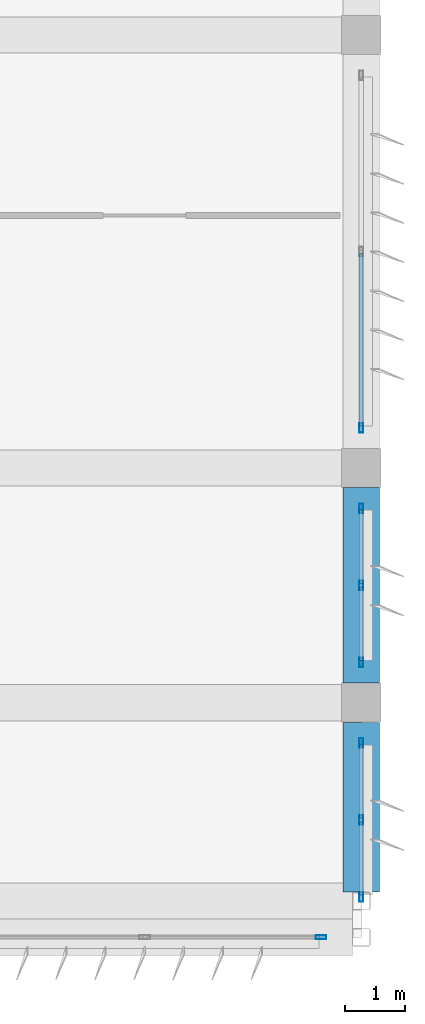
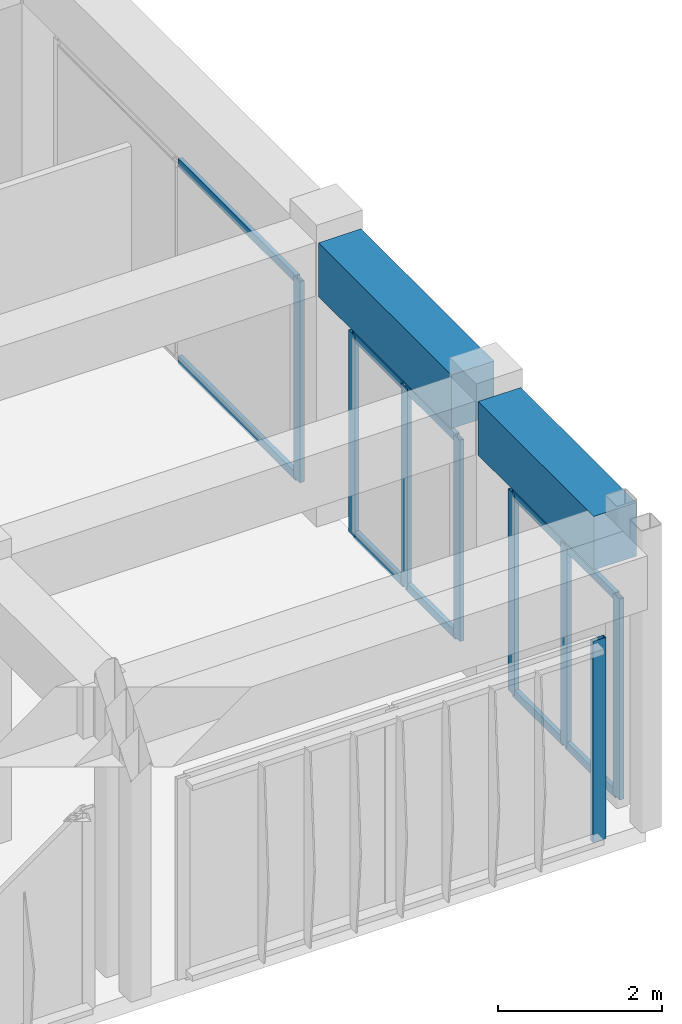
# One storey, part 29 of 56: 18 members, 2 beams, 4 elements without a shape of their own.
"""IFC4 building model written with IfcOpenShell, lengths in metres."""

from ifc_helpers import new_model, si_unit, direction, frame, origin, origin_2d, place, context, subcontext, project, spatial, rectangle, hollow_rectangle, extrude, material, material_profile, profile_set, type_object, element, aggregate, save


model = new_model("IFC4")

# Units and contexts
model_context = context("Model", 3, precision=1e-05, world=origin(), true_north=direction((0.0, 1.0)))
body_context = subcontext(model_context, "Body", "Model", "MODEL_VIEW")
ifc_project = project(units=[si_unit("LENGTHUNIT", "METRE"), si_unit("AREAUNIT", "SQUARE_METRE"), si_unit("VOLUMEUNIT", "CUBIC_METRE"), si_unit("PLANEANGLEUNIT", "RADIAN"), si_unit("MASSUNIT", "GRAM", prefix="KILO")], contexts=[model_context])

# Site, building, storey
site_placement = place(None, origin())
site = spatial("IfcSite", under=ifc_project, at=site_placement, CompositionType="ELEMENT")
building_placement = place(site_placement, origin())
building = spatial("IfcBuilding", under=site, at=building_placement, Name="Kazehaya Institute of Natural Sciences", CompositionType="ELEMENT")
storey_placement = place(building_placement, frame((0.0, 0.0, 28.800048828125)))
storey = spatial("IfcBuildingStorey", under=building, at=storey_placement, Name="L06", CompositionType="ELEMENT", Elevation=28.800048828125)

# Beams
ifc_material_1 = material(Name="Concrete Fc36", Category="concrete")
ifc_material_profile_1 = material_profile(ifc_material_1, rectangle(XDim=0.60009765625, YDim=0.800048828125, at=origin_2d()), Name="RC-600x800")
ifc_profile_set_1 = profile_set([ifc_material_profile_1], Name="Concrete Fc36")
beam_type = type_object("IfcBeamType", Name="BM-G-600x800", PredefinedType="BEAM", material=ifc_profile_set_1)
beam_1_placement = place(storey_placement, frame((119.39990234375, 6.949951171875, 3.829833984375), z_axis=(0.0, 1.0, 0.0), x_axis=(-1.0, 0.0, 0.0)))
element("IfcBeam", 1, at=beam_1_placement, inside=storey, type_object=beam_type, Name="L06 primary Y girder BMY-L06-1194-68", PredefinedType="BEAM", context=body_context, shape_type="SweptSolid", body=[
    extrude(rectangle(XDim=0.60009765625, YDim=0.800048828125, at=origin_2d()), origin(), (0.0, 0.0, 1.0), 2.824951171875),
])
beam_2_placement = place(storey_placement, frame((119.39990234375, 10.425048828125, 3.829833984375), z_axis=(0.0, 1.0, 0.0), x_axis=(-1.0, 0.0, 0.0)))
element("IfcBeam", 2, at=beam_2_placement, inside=storey, type_object=beam_type, Name="L06 primary Y girder BMY-L06-1194-101", PredefinedType="BEAM", context=body_context, shape_type="SweptSolid", body=[
    extrude(rectangle(XDim=0.60009765625, YDim=0.800048828125, at=origin_2d()), origin(), (0.0, 0.0, 1.0), 3.25),
])

# Curtain wall, members
ifc_material_2 = material(Name="Aluminium alloy A6063S-T5", Category="aluminium")
curtain_wall_type_1 = type_object("IfcCurtainWallType", Name="CW-SYS-08", PredefinedType="NOTDEFINED", material=ifc_material_2)
curtain_wall_1_placement = place(storey_placement, origin())
curtain_wall_1 = element("IfcCurtainWall", 3, at=curtain_wall_1_placement, inside=storey, type_object=curtain_wall_type_1, Name="L06 unitised curtain wall CW-L06-139", PredefinedType="NOTDEFINED")
ifc_material_profile_2 = material_profile(ifc_material_2, hollow_rectangle(XDim=0.06005859375, YDim=0.159912109375, WallThickness=0.00390625, at=origin_2d()), Name="ALU-60x160x4")
ifc_profile_set_2 = profile_set([ifc_material_profile_2], Name="Aluminium alloy A6063S-T5")
member_type_1 = type_object("IfcMemberType", Name="CWM-160", PredefinedType="MULLION", material=ifc_profile_set_2)
member_1_placement = place(storey_placement, frame((119.39990234375, 9.429931640625, 0.0), z_axis=(0.0, 0.0, 1.0), x_axis=(1.0, 0.0, 0.0)))
member_1 = element("IfcMember", 4, at=member_1_placement, type_object=member_type_1, Name="CW08 mullion 1", PredefinedType="MULLION", context=body_context, shape_type="SweptSolid", body=[
    extrude(hollow_rectangle(XDim=0.06005859375, YDim=0.159912109375, WallThickness=0.00390625, at=origin_2d()), origin(), (0.0, 0.0, 1.0), 3.0),
])
member_2_placement = place(storey_placement, frame((119.39990234375, 8.14990234375, 0.0), z_axis=(0.0, 0.0, 1.0), x_axis=(1.0, 0.0, 0.0)))
member_2 = element("IfcMember", 5, at=member_2_placement, type_object=member_type_1, Name="CW08 mullion 2", PredefinedType="MULLION", context=body_context, shape_type="SweptSolid", body=[
    extrude(hollow_rectangle(XDim=0.06005859375, YDim=0.159912109375, WallThickness=0.00390625, at=origin_2d()), origin(), (0.0, 0.0, 1.0), 3.0),
])
member_3_placement = place(storey_placement, frame((119.39990234375, 6.8701171875, 0.0), z_axis=(0.0, 0.0, 1.0), x_axis=(1.0, 0.0, 0.0)))
member_3 = element("IfcMember", 6, at=member_3_placement, type_object=member_type_1, Name="CW08 mullion 3", PredefinedType="MULLION", context=body_context, shape_type="SweptSolid", body=[
    extrude(hollow_rectangle(XDim=0.06005859375, YDim=0.159912109375, WallThickness=0.00390625, at=origin_2d()), origin(), (0.0, 0.0, 1.0), 3.0),
])

curtain_wall_2_placement = place(storey_placement, origin())
curtain_wall_2 = element("IfcCurtainWall", 7, at=curtain_wall_2_placement, inside=storey, type_object=curtain_wall_type_1, Name="L06 unitised curtain wall CW-L06-141", PredefinedType="NOTDEFINED")
member_4_placement = place(storey_placement, frame((119.39990234375, 13.330078125, 0.0), z_axis=(0.0, 0.0, 1.0), x_axis=(1.0, 0.0, 0.0)))
member_4 = element("IfcMember", 8, at=member_4_placement, type_object=member_type_1, Name="CW08 mullion 1", PredefinedType="MULLION", context=body_context, shape_type="SweptSolid", body=[
    extrude(hollow_rectangle(XDim=0.06005859375, YDim=0.159912109375, WallThickness=0.00390625, at=origin_2d()), origin(), (0.0, 0.0, 1.0), 3.0),
])
member_5_placement = place(storey_placement, frame((119.39990234375, 12.050048828125, 0.0), z_axis=(0.0, 0.0, 1.0), x_axis=(1.0, 0.0, 0.0)))
member_5 = element("IfcMember", 9, at=member_5_placement, type_object=member_type_1, Name="CW08 mullion 2", PredefinedType="MULLION", context=body_context, shape_type="SweptSolid", body=[
    extrude(hollow_rectangle(XDim=0.06005859375, YDim=0.159912109375, WallThickness=0.00390625, at=origin_2d()), origin(), (0.0, 0.0, 1.0), 3.0),
])
member_6_placement = place(storey_placement, frame((119.39990234375, 10.77001953125, 0.0), z_axis=(0.0, 0.0, 1.0), x_axis=(1.0, 0.0, 0.0)))
member_6 = element("IfcMember", 10, at=member_6_placement, type_object=member_type_1, Name="CW08 mullion 3", PredefinedType="MULLION", context=body_context, shape_type="SweptSolid", body=[
    extrude(hollow_rectangle(XDim=0.06005859375, YDim=0.159912109375, WallThickness=0.00390625, at=origin_2d()), origin(), (0.0, 0.0, 1.0), 3.0),
])

# Curtain wall, member
curtain_wall_type_2 = type_object("IfcCurtainWallType", Name="CW-SYS-10", PredefinedType="NOTDEFINED", material=ifc_material_2)
curtain_wall_3_placement = place(storey_placement, origin())
curtain_wall_3 = element("IfcCurtainWall", 11, at=curtain_wall_3_placement, inside=storey, type_object=curtain_wall_type_2, Name="L06 unitised curtain wall CW-L06-143", PredefinedType="NOTDEFINED")
member_7_placement = place(storey_placement, frame((119.39990234375, 14.669921875, 0.0), z_axis=(0.0, 0.0, 1.0), x_axis=(1.0, 0.0, 0.0)))
member_7 = element("IfcMember", 12, at=member_7_placement, type_object=member_type_1, Name="CW10 mullion 3", PredefinedType="MULLION", context=body_context, shape_type="SweptSolid", body=[
    extrude(hollow_rectangle(XDim=0.06005859375, YDim=0.159912109375, WallThickness=0.00390625, at=origin_2d()), origin(), (0.0, 0.0, 1.0), 3.0),
])

curtain_wall_type_3 = type_object("IfcCurtainWallType", Name="CW-SYS-04", PredefinedType="NOTDEFINED", material=ifc_material_2)
curtain_wall_4_placement = place(storey_placement, origin())
curtain_wall_4 = element("IfcCurtainWall", 13, at=curtain_wall_4_placement, inside=storey, type_object=curtain_wall_type_3, Name="L06 unitised curtain wall CW-L06-120", PredefinedType="NOTDEFINED")
ifc_material_profile_3 = material_profile(ifc_material_2, hollow_rectangle(XDim=0.06005859375, YDim=0.179931640625, WallThickness=0.00390625, at=origin_2d()), Name="ALU-60x180x4")
ifc_profile_set_3 = profile_set([ifc_material_profile_3], Name="Aluminium alloy A6063S-T5")
member_type_2 = type_object("IfcMemberType", Name="CWM-180", PredefinedType="MULLION", material=ifc_profile_set_3)
member_8_placement = place(storey_placement, frame((118.72998046875, 6.199951171875, 0.0), z_axis=(0.0, 0.0, 1.0), x_axis=(0.0, -1.0, 0.0)))
member_8 = element("IfcMember", 14, at=member_8_placement, type_object=member_type_2, Name="CW04 mullion 1", PredefinedType="MULLION", context=body_context, shape_type="SweptSolid", body=[
    extrude(hollow_rectangle(XDim=0.06005859375, YDim=0.179931640625, WallThickness=0.00390625, at=origin_2d()), origin(), (0.0, 0.0, 1.0), 3.0),
])
aggregate(curtain_wall_4, [member_8])

# Member
ifc_material_profile_4 = material_profile(ifc_material_2, hollow_rectangle(XDim=0.06005859375, YDim=0.1201171875, WallThickness=0.00341796875, at=origin_2d()), Name="ALU-60x120x3.5")
ifc_profile_set_4 = profile_set([ifc_material_profile_4], Name="Aluminium alloy A6063S-T5")
member_type_3 = type_object("IfcMemberType", Name="CWT-120", PredefinedType="USERDEFINED", material=ifc_profile_set_4)
member_9_placement = place(storey_placement, frame((119.39990234375, 9.39990234375, 0.030029296875), z_axis=(0.0, -1.0, 0.0), x_axis=(1.0, 0.0, 0.0)))
member_9 = element("IfcMember", 15, at=member_9_placement, type_object=member_type_3, Name="CW08 transom 1.1", ObjectType="TRANSOM", PredefinedType="USERDEFINED", context=body_context, shape_type="SweptSolid", body=[
    extrude(hollow_rectangle(XDim=0.06005859375, YDim=0.1201171875, WallThickness=0.00341796875, at=origin_2d()), origin(), (0.0, 0.0, 1.0), 1.219970703125),
])

member_10_placement = place(storey_placement, frame((119.39990234375, 9.39990234375, 2.969970703125), z_axis=(0.0, -1.0, 0.0), x_axis=(1.0, 0.0, 0.0)))
member_10 = element("IfcMember", 16, at=member_10_placement, type_object=member_type_3, Name="CW08 transom 1.2", ObjectType="TRANSOM", PredefinedType="USERDEFINED", context=body_context, shape_type="SweptSolid", body=[
    extrude(hollow_rectangle(XDim=0.06005859375, YDim=0.1201171875, WallThickness=0.00341796875, at=origin_2d()), origin(), (0.0, 0.0, 1.0), 1.219970703125),
])

member_11_placement = place(storey_placement, frame((119.39990234375, 8.1201171875, 0.030029296875), z_axis=(0.0, -1.0, 0.0), x_axis=(1.0, 0.0, 0.0)))
member_11 = element("IfcMember", 17, at=member_11_placement, type_object=member_type_3, Name="CW08 transom 2.1", ObjectType="TRANSOM", PredefinedType="USERDEFINED", context=body_context, shape_type="SweptSolid", body=[
    extrude(hollow_rectangle(XDim=0.06005859375, YDim=0.1201171875, WallThickness=0.00341796875, at=origin_2d()), origin(), (0.0, 0.0, 1.0), 1.22021484375),
])

member_12_placement = place(storey_placement, frame((119.39990234375, 8.1201171875, 2.969970703125), z_axis=(0.0, -1.0, 0.0), x_axis=(1.0, 0.0, 0.0)))
member_12 = element("IfcMember", 18, at=member_12_placement, type_object=member_type_3, Name="CW08 transom 2.2", ObjectType="TRANSOM", PredefinedType="USERDEFINED", context=body_context, shape_type="SweptSolid", body=[
    extrude(hollow_rectangle(XDim=0.06005859375, YDim=0.1201171875, WallThickness=0.00341796875, at=origin_2d()), origin(), (0.0, 0.0, 1.0), 1.22021484375),
])

aggregate(curtain_wall_1, [member_1, member_2, member_3, member_9, member_10, member_11, member_12])

member_13_placement = place(storey_placement, frame((119.39990234375, 13.300048828125, 0.030029296875), z_axis=(0.0, -1.0, 0.0), x_axis=(1.0, 0.0, 0.0)))
member_13 = element("IfcMember", 19, at=member_13_placement, type_object=member_type_3, Name="CW08 transom 1.1", ObjectType="TRANSOM", PredefinedType="USERDEFINED", context=body_context, shape_type="SweptSolid", body=[
    extrude(hollow_rectangle(XDim=0.06005859375, YDim=0.1201171875, WallThickness=0.00341796875, at=origin_2d()), origin(), (0.0, 0.0, 1.0), 1.219970703125),
])

member_14_placement = place(storey_placement, frame((119.39990234375, 13.300048828125, 2.969970703125), z_axis=(0.0, -1.0, 0.0), x_axis=(1.0, 0.0, 0.0)))
member_14 = element("IfcMember", 20, at=member_14_placement, type_object=member_type_3, Name="CW08 transom 1.2", ObjectType="TRANSOM", PredefinedType="USERDEFINED", context=body_context, shape_type="SweptSolid", body=[
    extrude(hollow_rectangle(XDim=0.06005859375, YDim=0.1201171875, WallThickness=0.00341796875, at=origin_2d()), origin(), (0.0, 0.0, 1.0), 1.219970703125),
])

member_15_placement = place(storey_placement, frame((119.39990234375, 12.02001953125, 0.030029296875), z_axis=(0.0, -1.0, 0.0), x_axis=(1.0, 0.0, 0.0)))
member_15 = element("IfcMember", 21, at=member_15_placement, type_object=member_type_3, Name="CW08 transom 2.1", ObjectType="TRANSOM", PredefinedType="USERDEFINED", context=body_context, shape_type="SweptSolid", body=[
    extrude(hollow_rectangle(XDim=0.06005859375, YDim=0.1201171875, WallThickness=0.00341796875, at=origin_2d()), origin(), (0.0, 0.0, 1.0), 1.219970703125),
])

member_16_placement = place(storey_placement, frame((119.39990234375, 12.02001953125, 2.969970703125), z_axis=(0.0, -1.0, 0.0), x_axis=(1.0, 0.0, 0.0)))
member_16 = element("IfcMember", 22, at=member_16_placement, type_object=member_type_3, Name="CW08 transom 2.2", ObjectType="TRANSOM", PredefinedType="USERDEFINED", context=body_context, shape_type="SweptSolid", body=[
    extrude(hollow_rectangle(XDim=0.06005859375, YDim=0.1201171875, WallThickness=0.00341796875, at=origin_2d()), origin(), (0.0, 0.0, 1.0), 1.219970703125),
])

aggregate(curtain_wall_2, [member_4, member_5, member_6, member_13, member_14, member_15, member_16])

member_17_placement = place(storey_placement, frame((119.39990234375, 17.570068359375, 0.030029296875), z_axis=(0.0, -1.0, 0.0), x_axis=(1.0, 0.0, 0.0)))
member_17 = element("IfcMember", 23, at=member_17_placement, type_object=member_type_3, Name="CW10 transom 2.1", ObjectType="TRANSOM", PredefinedType="USERDEFINED", context=body_context, shape_type="SweptSolid", body=[
    extrude(hollow_rectangle(XDim=0.06005859375, YDim=0.1201171875, WallThickness=0.00341796875, at=origin_2d()), origin(), (0.0, 0.0, 1.0), 2.8701171875),
])

member_18_placement = place(storey_placement, frame((119.39990234375, 17.570068359375, 2.969970703125), z_axis=(0.0, -1.0, 0.0), x_axis=(1.0, 0.0, 0.0)))
member_18 = element("IfcMember", 24, at=member_18_placement, type_object=member_type_3, Name="CW10 transom 2.2", ObjectType="TRANSOM", PredefinedType="USERDEFINED", context=body_context, shape_type="SweptSolid", body=[
    extrude(hollow_rectangle(XDim=0.06005859375, YDim=0.1201171875, WallThickness=0.00341796875, at=origin_2d()), origin(), (0.0, 0.0, 1.0), 2.8701171875),
])

aggregate(curtain_wall_3, [member_7, member_17, member_18])

save(model, "model.ifc")
